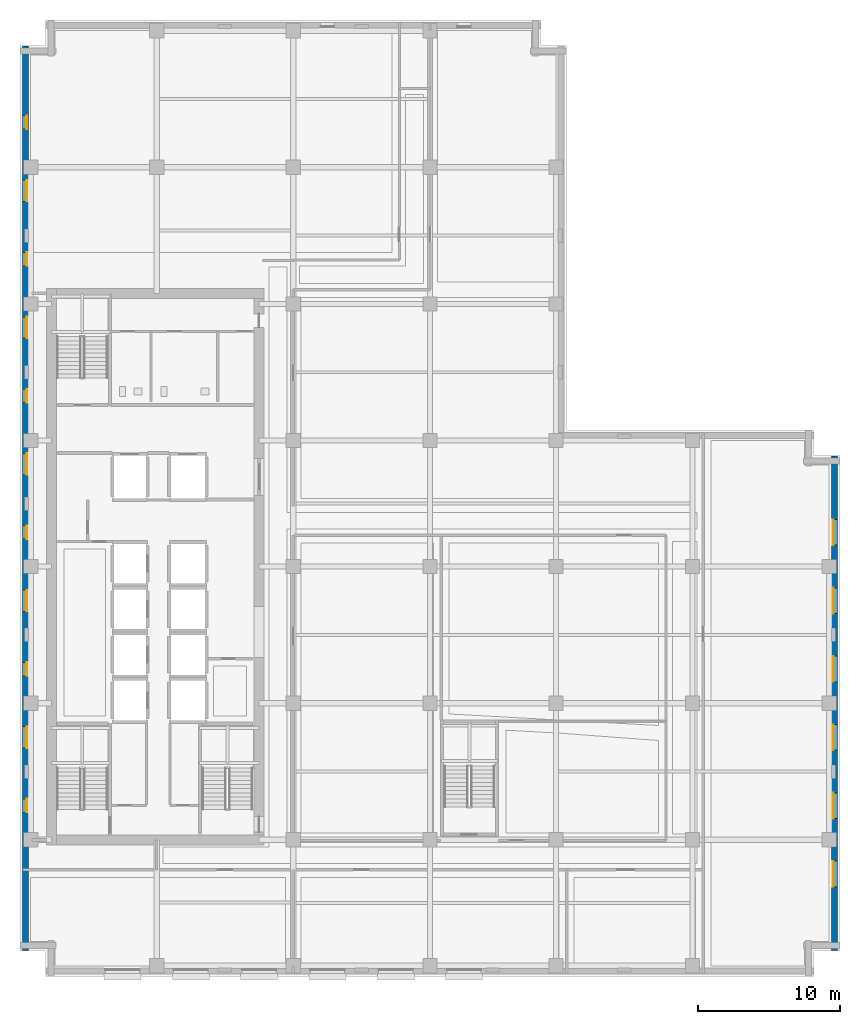
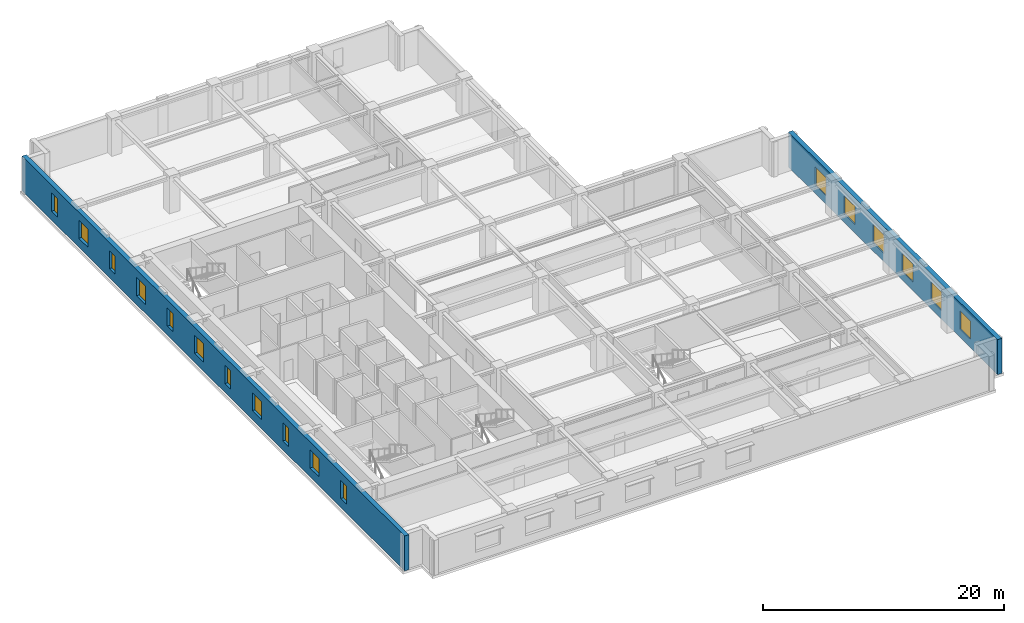
# One storey, part 5 of 12: 17 windows, 2 walls, 17 openings.
"""IFC4 building model written with IfcOpenShell, lengths in metres."""

from ifc_helpers import new_model, si_unit, direction, frame, frame_2d, origin, place, context, subcontext, project, spatial, rectangle, extrude, material, layer, layer_set, type_object, element, fill, save


model = new_model("IFC4")

# Units and contexts
model_context = context("Model", 3, precision=1e-05, world=origin(), true_north=direction((0.0, 1.0)))
body_context = subcontext(model_context, "Body", "Model", "MODEL_VIEW")
ifc_project = project(units=[si_unit("LENGTHUNIT", "METRE"), si_unit("AREAUNIT", "SQUARE_METRE"), si_unit("VOLUMEUNIT", "CUBIC_METRE"), si_unit("PLANEANGLEUNIT", "RADIAN"), si_unit("MASSUNIT", "GRAM", prefix="KILO")], contexts=[model_context])

# Site, building, storey
site_placement = place(None, origin())
site = spatial("IfcSite", under=ifc_project, at=site_placement, CompositionType="ELEMENT")
building_placement = place(site_placement, origin())
building = spatial("IfcBuilding", under=site, at=building_placement, Name="Norrvale University Quadrangle", CompositionType="ELEMENT")
storey_placement = place(building_placement, frame((0.0, 0.0, 105.199951171875)))
storey = spatial("IfcBuildingStorey", under=building, at=storey_placement, Name="L26", CompositionType="ELEMENT", Elevation=105.199951171875)

# Wall, openings, windows
ifc_material_1 = material(Name="Buff Norman Clay Brick Masonry", Category="masonry")
ifc_layer = layer(ifc_material_1, 0.419921875, Name="Buff Norman Clay Brick Masonry")
ifc_layer_set = layer_set([ifc_layer], Name="Buff Norman Clay Brick Masonry")
wall_type = type_object("IfcWallType", Name="Wall Buff Brick 420", PredefinedType="SOLIDWALL", material=ifc_layer_set)
wall_1_placement = place(storey_placement, frame((57.2099609375, 1.840087890625, 0.0), z_axis=(0.0, 0.0, 1.0), x_axis=(0.0, 1.0, 0.0)))
wall_1 = element("IfcWall", 1, at=wall_1_placement, inside=storey, type_object=wall_type, Name="Exterior Brick Facade Wall L26-04.1", PredefinedType="SOLIDWALL", context=body_context, shape_type="SweptSolid", body=[
    extrude(rectangle(XDim=34.719970703125, YDim=0.419921875, at=frame_2d((17.35986328125, 0.0))), origin(), (0.0, 0.0, 1.0), 3.5400390625),
])
opening_1_placement = place(wall_1_placement, frame((4.4599609375, 0.0, 0.85009765625)))
opening_1 = element("IfcOpeningElement", 2, at=opening_1_placement, cuts=wall_1, Name="Opening W01", PredefinedType="OPENING", context=body_context, shape_type="SweptSolid", body=[
    extrude(rectangle(XDim=1.800048828125, YDim=1.85009765625, at=frame_2d((0.89990234375, 0.925048828125))), frame((0.0, 0.221923828125, 0.0), z_axis=(0.0, -1.0, 0.0), x_axis=(1.0, 0.0, 0.0)), (0.0, 0.0, 1.0), 0.44384765625),
])
opening_2_placement = place(wall_1_placement, frame((9.260009765625, 0.0, 0.85009765625)))
opening_2 = element("IfcOpeningElement", 3, at=opening_2_placement, cuts=wall_1, Name="Opening W01", PredefinedType="OPENING", context=body_context, shape_type="SweptSolid", body=[
    extrude(rectangle(XDim=1.800048828125, YDim=1.85009765625, at=frame_2d((0.89990234375, 0.925048828125))), frame((0.0, 0.221923828125, 0.0), z_axis=(0.0, -1.0, 0.0), x_axis=(1.0, 0.0, 0.0)), (0.0, 0.0, 1.0), 0.44384765625),
])
opening_3_placement = place(wall_1_placement, frame((14.06005859375, 0.0, 0.85009765625)))
opening_3 = element("IfcOpeningElement", 4, at=opening_3_placement, cuts=wall_1, Name="Opening W01", PredefinedType="OPENING", context=body_context, shape_type="SweptSolid", body=[
    extrude(rectangle(XDim=1.800048828125, YDim=1.85009765625, at=frame_2d((0.89990234375, 0.925048828125))), frame((0.0, 0.221923828125, 0.0), z_axis=(0.0, -1.0, 0.0), x_axis=(1.0, 0.0, 0.0)), (0.0, 0.0, 1.0), 0.44384765625),
])
opening_4_placement = place(wall_1_placement, frame((18.860107421875, 0.0, 0.85009765625)))
opening_4 = element("IfcOpeningElement", 5, at=opening_4_placement, cuts=wall_1, Name="Opening W01", PredefinedType="OPENING", context=body_context, shape_type="SweptSolid", body=[
    extrude(rectangle(XDim=1.800048828125, YDim=1.85009765625, at=frame_2d((0.89990234375, 0.925048828125))), frame((0.0, 0.221923828125, 0.0), z_axis=(0.0, -1.0, 0.0), x_axis=(1.0, 0.0, 0.0)), (0.0, 0.0, 1.0), 0.44384765625),
])
opening_5_placement = place(wall_1_placement, frame((23.659912109375, 0.0, 0.85009765625)))
opening_5 = element("IfcOpeningElement", 6, at=opening_5_placement, cuts=wall_1, Name="Opening W01", PredefinedType="OPENING", context=body_context, shape_type="SweptSolid", body=[
    extrude(rectangle(XDim=1.800048828125, YDim=1.85009765625, at=frame_2d((0.89990234375, 0.925048828125))), frame((0.0, 0.221923828125, 0.0), z_axis=(0.0, -1.0, 0.0), x_axis=(1.0, 0.0, 0.0)), (0.0, 0.0, 1.0), 0.44384765625),
])
opening_6_placement = place(wall_1_placement, frame((28.4599609375, 0.0, 0.85009765625)))
opening_6 = element("IfcOpeningElement", 7, at=opening_6_placement, cuts=wall_1, Name="Opening W01", PredefinedType="OPENING", context=body_context, shape_type="SweptSolid", body=[
    extrude(rectangle(XDim=1.800048828125, YDim=1.85009765625, at=frame_2d((0.89990234375, 0.925048828125))), frame((0.0, 0.221923828125, 0.0), z_axis=(0.0, -1.0, 0.0), x_axis=(1.0, 0.0, 0.0)), (0.0, 0.0, 1.0), 0.44384765625),
])
ifc_material_2 = material(Name="Triple Low-E Argon Glazing", Category="glass")
window_type_1 = type_object("IfcWindowType", Name="Window Academic 1800x2300", PartitioningType="DOUBLE_PANEL_VERTICAL", PredefinedType="WINDOW", material=ifc_material_2)
window_1_placement = place(opening_1_placement, origin())
window_1 = element("IfcWindow", 8, at=window_1_placement, inside=storey, type_object=window_type_1, Name="Window Academic 1800x2300 WIN-L26-E04-1-01", OverallHeight=1.85009765625, OverallWidth=1.800048828125, PartitioningType="DOUBLE_PANEL_VERTICAL", PredefinedType="WINDOW", context=body_context, shape_type="SweptSolid", body=[
    extrude(rectangle(XDim=1.800048828125, YDim=1.85009765625, at=frame_2d((0.89990234375, 0.925048828125))), frame((0.0, 0.110107421875, 0.0), z_axis=(0.0, -1.0, 0.0), x_axis=(1.0, 0.0, 0.0)), (0.0, 0.0, 1.0), 0.06005859375),
])
fill(opening_1, window_1)
window_2_placement = place(opening_2_placement, origin())
window_2 = element("IfcWindow", 9, at=window_2_placement, inside=storey, type_object=window_type_1, Name="Window Academic 1800x2300 WIN-L26-E04-1-02", OverallHeight=1.85009765625, OverallWidth=1.800048828125, PartitioningType="DOUBLE_PANEL_VERTICAL", PredefinedType="WINDOW", context=body_context, shape_type="SweptSolid", body=[
    extrude(rectangle(XDim=1.800048828125, YDim=1.85009765625, at=frame_2d((0.89990234375, 0.925048828125))), frame((0.0, 0.110107421875, 0.0), z_axis=(0.0, -1.0, 0.0), x_axis=(1.0, 0.0, 0.0)), (0.0, 0.0, 1.0), 0.06005859375),
])
fill(opening_2, window_2)
window_3_placement = place(opening_3_placement, origin())
window_3 = element("IfcWindow", 10, at=window_3_placement, inside=storey, type_object=window_type_1, Name="Window Academic 1800x2300 WIN-L26-E04-1-03", OverallHeight=1.85009765625, OverallWidth=1.800048828125, PartitioningType="DOUBLE_PANEL_VERTICAL", PredefinedType="WINDOW", context=body_context, shape_type="SweptSolid", body=[
    extrude(rectangle(XDim=1.800048828125, YDim=1.85009765625, at=frame_2d((0.89990234375, 0.925048828125))), frame((0.0, 0.110107421875, 0.0), z_axis=(0.0, -1.0, 0.0), x_axis=(1.0, 0.0, 0.0)), (0.0, 0.0, 1.0), 0.06005859375),
])
fill(opening_3, window_3)
window_4_placement = place(opening_4_placement, origin())
window_4 = element("IfcWindow", 11, at=window_4_placement, inside=storey, type_object=window_type_1, Name="Window Academic 1800x2300 WIN-L26-E04-1-04", OverallHeight=1.85009765625, OverallWidth=1.800048828125, PartitioningType="DOUBLE_PANEL_VERTICAL", PredefinedType="WINDOW", context=body_context, shape_type="SweptSolid", body=[
    extrude(rectangle(XDim=1.800048828125, YDim=1.85009765625, at=frame_2d((0.89990234375, 0.925048828125))), frame((0.0, 0.110107421875, 0.0), z_axis=(0.0, -1.0, 0.0), x_axis=(1.0, 0.0, 0.0)), (0.0, 0.0, 1.0), 0.06005859375),
])
fill(opening_4, window_4)
window_5_placement = place(opening_5_placement, origin())
window_5 = element("IfcWindow", 12, at=window_5_placement, inside=storey, type_object=window_type_1, Name="Window Academic 1800x2300 WIN-L26-E04-1-05", OverallHeight=1.85009765625, OverallWidth=1.800048828125, PartitioningType="DOUBLE_PANEL_VERTICAL", PredefinedType="WINDOW", context=body_context, shape_type="SweptSolid", body=[
    extrude(rectangle(XDim=1.800048828125, YDim=1.85009765625, at=frame_2d((0.89990234375, 0.925048828125))), frame((0.0, 0.110107421875, 0.0), z_axis=(0.0, -1.0, 0.0), x_axis=(1.0, 0.0, 0.0)), (0.0, 0.0, 1.0), 0.06005859375),
])
fill(opening_5, window_5)
window_6_placement = place(opening_6_placement, origin())
window_6 = element("IfcWindow", 13, at=window_6_placement, inside=storey, type_object=window_type_1, Name="Window Academic 1800x2300 WIN-L26-E04-1-06", OverallHeight=1.85009765625, OverallWidth=1.800048828125, PartitioningType="DOUBLE_PANEL_VERTICAL", PredefinedType="WINDOW", context=body_context, shape_type="SweptSolid", body=[
    extrude(rectangle(XDim=1.800048828125, YDim=1.85009765625, at=frame_2d((0.89990234375, 0.925048828125))), frame((0.0, 0.110107421875, 0.0), z_axis=(0.0, -1.0, 0.0), x_axis=(1.0, 0.0, 0.0)), (0.0, 0.0, 1.0), 0.06005859375),
])
fill(opening_6, window_6)

wall_2_placement = place(storey_placement, frame((0.389892578125, 65.360107421875, 0.0), z_axis=(0.0, 0.0, 1.0), x_axis=(0.0, -1.0, 0.0)))
wall_2 = element("IfcWall", 14, at=wall_2_placement, inside=storey, type_object=wall_type, Name="Exterior Brick Facade Wall L26-14.1", PredefinedType="SOLIDWALL", context=body_context, shape_type="SweptSolid", body=[
    extrude(rectangle(XDim=63.52001953125, YDim=0.419921875, at=frame_2d((31.760009765625, 0.0))), origin(), (0.0, 0.0, 1.0), 3.5400390625),
])
opening_7_placement = place(wall_2_placement, frame((4.885009765625, 0.0, 0.89990234375)))
opening_7 = element("IfcOpeningElement", 15, at=opening_7_placement, cuts=wall_2, Name="Opening W04", PredefinedType="OPENING", context=body_context, shape_type="SweptSolid", body=[
    extrude(rectangle(XDim=0.949951171875, YDim=1.85009765625, at=frame_2d((0.47509765625, 0.925048828125))), frame((0.0, 0.221923828125, 0.0), z_axis=(0.0, -1.0, 0.0), x_axis=(1.0, 0.0, 0.0)), (0.0, 0.0, 1.0), 0.44384765625),
])
opening_8_placement = place(wall_2_placement, frame((9.409912109375, 0.0, 0.89990234375)))
opening_8 = element("IfcOpeningElement", 16, at=opening_8_placement, cuts=wall_2, Name="Opening W03", PredefinedType="OPENING", context=body_context, shape_type="SweptSolid", body=[
    extrude(rectangle(XDim=1.5, YDim=1.85009765625, at=frame_2d((0.75, 0.925048828125))), frame((0.0, 0.221923828125, 0.0), z_axis=(0.0, -1.0, 0.0), x_axis=(1.0, 0.0, 0.0)), (0.0, 0.0, 1.0), 0.44384765625),
])
opening_9_placement = place(wall_2_placement, frame((14.485107421875, 0.0, 0.89990234375)))
opening_9 = element("IfcOpeningElement", 17, at=opening_9_placement, cuts=wall_2, Name="Opening W04", PredefinedType="OPENING", context=body_context, shape_type="SweptSolid", body=[
    extrude(rectangle(XDim=0.949951171875, YDim=1.85009765625, at=frame_2d((0.47509765625, 0.925048828125))), frame((0.0, 0.221923828125, 0.0), z_axis=(0.0, -1.0, 0.0), x_axis=(1.0, 0.0, 0.0)), (0.0, 0.0, 1.0), 0.44384765625),
])
opening_10_placement = place(wall_2_placement, frame((19.010009765625, 0.0, 0.89990234375)))
opening_10 = element("IfcOpeningElement", 18, at=opening_10_placement, cuts=wall_2, Name="Opening W03", PredefinedType="OPENING", context=body_context, shape_type="SweptSolid", body=[
    extrude(rectangle(XDim=1.5, YDim=1.85009765625, at=frame_2d((0.75, 0.925048828125))), frame((0.0, 0.221923828125, 0.0), z_axis=(0.0, -1.0, 0.0), x_axis=(1.0, 0.0, 0.0)), (0.0, 0.0, 1.0), 0.44384765625),
])
opening_11_placement = place(wall_2_placement, frame((24.0849609375, 0.0, 0.89990234375)))
opening_11 = element("IfcOpeningElement", 19, at=opening_11_placement, cuts=wall_2, Name="Opening W04", PredefinedType="OPENING", context=body_context, shape_type="SweptSolid", body=[
    extrude(rectangle(XDim=0.949951171875, YDim=1.85009765625, at=frame_2d((0.47509765625, 0.925048828125))), frame((0.0, 0.221923828125, 0.0), z_axis=(0.0, -1.0, 0.0), x_axis=(1.0, 0.0, 0.0)), (0.0, 0.0, 1.0), 0.44384765625),
])
opening_12_placement = place(wall_2_placement, frame((28.610107421875, 0.0, 0.89990234375)))
opening_12 = element("IfcOpeningElement", 20, at=opening_12_placement, cuts=wall_2, Name="Opening W03", PredefinedType="OPENING", context=body_context, shape_type="SweptSolid", body=[
    extrude(rectangle(XDim=1.5, YDim=1.85009765625, at=frame_2d((0.75, 0.925048828125))), frame((0.0, 0.221923828125, 0.0), z_axis=(0.0, -1.0, 0.0), x_axis=(1.0, 0.0, 0.0)), (0.0, 0.0, 1.0), 0.44384765625),
])
opening_13_placement = place(wall_2_placement, frame((33.68505859375, 0.0, 0.89990234375)))
opening_13 = element("IfcOpeningElement", 21, at=opening_13_placement, cuts=wall_2, Name="Opening W04", PredefinedType="OPENING", context=body_context, shape_type="SweptSolid", body=[
    extrude(rectangle(XDim=0.949951171875, YDim=1.85009765625, at=frame_2d((0.47509765625, 0.925048828125))), frame((0.0, 0.221923828125, 0.0), z_axis=(0.0, -1.0, 0.0), x_axis=(1.0, 0.0, 0.0)), (0.0, 0.0, 1.0), 0.44384765625),
])
opening_14_placement = place(wall_2_placement, frame((38.2099609375, 0.0, 0.89990234375)))
opening_14 = element("IfcOpeningElement", 22, at=opening_14_placement, cuts=wall_2, Name="Opening W03", PredefinedType="OPENING", context=body_context, shape_type="SweptSolid", body=[
    extrude(rectangle(XDim=1.5, YDim=1.85009765625, at=frame_2d((0.75, 0.925048828125))), frame((0.0, 0.221923828125, 0.0), z_axis=(0.0, -1.0, 0.0), x_axis=(1.0, 0.0, 0.0)), (0.0, 0.0, 1.0), 0.44384765625),
])
opening_15_placement = place(wall_2_placement, frame((43.284912109375, 0.0, 0.89990234375)))
opening_15 = element("IfcOpeningElement", 23, at=opening_15_placement, cuts=wall_2, Name="Opening W04", PredefinedType="OPENING", context=body_context, shape_type="SweptSolid", body=[
    extrude(rectangle(XDim=0.949951171875, YDim=1.85009765625, at=frame_2d((0.47509765625, 0.925048828125))), frame((0.0, 0.221923828125, 0.0), z_axis=(0.0, -1.0, 0.0), x_axis=(1.0, 0.0, 0.0)), (0.0, 0.0, 1.0), 0.44384765625),
])
opening_16_placement = place(wall_2_placement, frame((47.81005859375, 0.0, 0.89990234375)))
opening_16 = element("IfcOpeningElement", 24, at=opening_16_placement, cuts=wall_2, Name="Opening W03", PredefinedType="OPENING", context=body_context, shape_type="SweptSolid", body=[
    extrude(rectangle(XDim=1.5, YDim=1.85009765625, at=frame_2d((0.75, 0.925048828125))), frame((0.0, 0.221923828125, 0.0), z_axis=(0.0, -1.0, 0.0), x_axis=(1.0, 0.0, 0.0)), (0.0, 0.0, 1.0), 0.44384765625),
])
opening_17_placement = place(wall_2_placement, frame((52.885009765625, 0.0, 0.89990234375)))
opening_17 = element("IfcOpeningElement", 25, at=opening_17_placement, cuts=wall_2, Name="Opening W04", PredefinedType="OPENING", context=body_context, shape_type="SweptSolid", body=[
    extrude(rectangle(XDim=0.949951171875, YDim=1.85009765625, at=frame_2d((0.47509765625, 0.925048828125))), frame((0.0, 0.221923828125, 0.0), z_axis=(0.0, -1.0, 0.0), x_axis=(1.0, 0.0, 0.0)), (0.0, 0.0, 1.0), 0.44384765625),
])
window_type_2 = type_object("IfcWindowType", Name="Window Narrow Pier 950x2300", PartitioningType="SINGLE_PANEL", PredefinedType="WINDOW", material=ifc_material_2)
window_7_placement = place(opening_7_placement, origin())
window_7 = element("IfcWindow", 26, at=window_7_placement, inside=storey, type_object=window_type_2, Name="Window Narrow Pier 950x2300 WIN-L26-E14-1-01", OverallHeight=1.85009765625, OverallWidth=0.949951171875, PartitioningType="SINGLE_PANEL", PredefinedType="WINDOW", context=body_context, shape_type="SweptSolid", body=[
    extrude(rectangle(XDim=0.949951171875, YDim=1.85009765625, at=frame_2d((0.47509765625, 0.925048828125))), frame((0.0, 0.110107421875, 0.0), z_axis=(0.0, -1.0, 0.0), x_axis=(1.0, 0.0, 0.0)), (0.0, 0.0, 1.0), 0.06005859375),
])
fill(opening_7, window_7)
window_8_placement = place(opening_9_placement, origin())
window_8 = element("IfcWindow", 27, at=window_8_placement, inside=storey, type_object=window_type_2, Name="Window Narrow Pier 950x2300 WIN-L26-E14-1-03", OverallHeight=1.85009765625, OverallWidth=0.949951171875, PartitioningType="SINGLE_PANEL", PredefinedType="WINDOW", context=body_context, shape_type="SweptSolid", body=[
    extrude(rectangle(XDim=0.949951171875, YDim=1.85009765625, at=frame_2d((0.47509765625, 0.925048828125))), frame((0.0, 0.110107421875, 0.0), z_axis=(0.0, -1.0, 0.0), x_axis=(1.0, 0.0, 0.0)), (0.0, 0.0, 1.0), 0.06005859375),
])
fill(opening_9, window_8)
window_9_placement = place(opening_11_placement, origin())
window_9 = element("IfcWindow", 28, at=window_9_placement, inside=storey, type_object=window_type_2, Name="Window Narrow Pier 950x2300 WIN-L26-E14-1-05", OverallHeight=1.85009765625, OverallWidth=0.949951171875, PartitioningType="SINGLE_PANEL", PredefinedType="WINDOW", context=body_context, shape_type="SweptSolid", body=[
    extrude(rectangle(XDim=0.949951171875, YDim=1.85009765625, at=frame_2d((0.47509765625, 0.925048828125))), frame((0.0, 0.110107421875, 0.0), z_axis=(0.0, -1.0, 0.0), x_axis=(1.0, 0.0, 0.0)), (0.0, 0.0, 1.0), 0.06005859375),
])
fill(opening_11, window_9)
window_10_placement = place(opening_13_placement, origin())
window_10 = element("IfcWindow", 29, at=window_10_placement, inside=storey, type_object=window_type_2, Name="Window Narrow Pier 950x2300 WIN-L26-E14-1-07", OverallHeight=1.85009765625, OverallWidth=0.949951171875, PartitioningType="SINGLE_PANEL", PredefinedType="WINDOW", context=body_context, shape_type="SweptSolid", body=[
    extrude(rectangle(XDim=0.949951171875, YDim=1.85009765625, at=frame_2d((0.47509765625, 0.925048828125))), frame((0.0, 0.110107421875, 0.0), z_axis=(0.0, -1.0, 0.0), x_axis=(1.0, 0.0, 0.0)), (0.0, 0.0, 1.0), 0.06005859375),
])
fill(opening_13, window_10)
window_11_placement = place(opening_15_placement, origin())
window_11 = element("IfcWindow", 30, at=window_11_placement, inside=storey, type_object=window_type_2, Name="Window Narrow Pier 950x2300 WIN-L26-E14-1-09", OverallHeight=1.85009765625, OverallWidth=0.949951171875, PartitioningType="SINGLE_PANEL", PredefinedType="WINDOW", context=body_context, shape_type="SweptSolid", body=[
    extrude(rectangle(XDim=0.949951171875, YDim=1.85009765625, at=frame_2d((0.47509765625, 0.925048828125))), frame((0.0, 0.110107421875, 0.0), z_axis=(0.0, -1.0, 0.0), x_axis=(1.0, 0.0, 0.0)), (0.0, 0.0, 1.0), 0.06005859375),
])
fill(opening_15, window_11)
window_12_placement = place(opening_17_placement, origin())
window_12 = element("IfcWindow", 31, at=window_12_placement, inside=storey, type_object=window_type_2, Name="Window Narrow Pier 950x2300 WIN-L26-E14-1-11", OverallHeight=1.85009765625, OverallWidth=0.949951171875, PartitioningType="SINGLE_PANEL", PredefinedType="WINDOW", context=body_context, shape_type="SweptSolid", body=[
    extrude(rectangle(XDim=0.949951171875, YDim=1.85009765625, at=frame_2d((0.47509765625, 0.925048828125))), frame((0.0, 0.110107421875, 0.0), z_axis=(0.0, -1.0, 0.0), x_axis=(1.0, 0.0, 0.0)), (0.0, 0.0, 1.0), 0.06005859375),
])
fill(opening_17, window_12)
window_type_3 = type_object("IfcWindowType", Name="Window Studio 1500x2300", PartitioningType="DOUBLE_PANEL_VERTICAL", PredefinedType="WINDOW", material=ifc_material_2)
window_13_placement = place(opening_8_placement, origin())
window_13 = element("IfcWindow", 32, at=window_13_placement, inside=storey, type_object=window_type_3, Name="Window Studio 1500x2300 WIN-L26-E14-1-02", OverallHeight=1.85009765625, OverallWidth=1.5, PartitioningType="DOUBLE_PANEL_VERTICAL", PredefinedType="WINDOW", context=body_context, shape_type="SweptSolid", body=[
    extrude(rectangle(XDim=1.5, YDim=1.85009765625, at=frame_2d((0.75, 0.925048828125))), frame((0.0, 0.110107421875, 0.0), z_axis=(0.0, -1.0, 0.0), x_axis=(1.0, 0.0, 0.0)), (0.0, 0.0, 1.0), 0.06005859375),
])
fill(opening_8, window_13)
window_14_placement = place(opening_10_placement, origin())
window_14 = element("IfcWindow", 33, at=window_14_placement, inside=storey, type_object=window_type_3, Name="Window Studio 1500x2300 WIN-L26-E14-1-04", OverallHeight=1.85009765625, OverallWidth=1.5, PartitioningType="DOUBLE_PANEL_VERTICAL", PredefinedType="WINDOW", context=body_context, shape_type="SweptSolid", body=[
    extrude(rectangle(XDim=1.5, YDim=1.85009765625, at=frame_2d((0.75, 0.925048828125))), frame((0.0, 0.110107421875, 0.0), z_axis=(0.0, -1.0, 0.0), x_axis=(1.0, 0.0, 0.0)), (0.0, 0.0, 1.0), 0.06005859375),
])
fill(opening_10, window_14)
window_15_placement = place(opening_12_placement, origin())
window_15 = element("IfcWindow", 34, at=window_15_placement, inside=storey, type_object=window_type_3, Name="Window Studio 1500x2300 WIN-L26-E14-1-06", OverallHeight=1.85009765625, OverallWidth=1.5, PartitioningType="DOUBLE_PANEL_VERTICAL", PredefinedType="WINDOW", context=body_context, shape_type="SweptSolid", body=[
    extrude(rectangle(XDim=1.5, YDim=1.85009765625, at=frame_2d((0.75, 0.925048828125))), frame((0.0, 0.110107421875, 0.0), z_axis=(0.0, -1.0, 0.0), x_axis=(1.0, 0.0, 0.0)), (0.0, 0.0, 1.0), 0.06005859375),
])
fill(opening_12, window_15)
window_16_placement = place(opening_14_placement, origin())
window_16 = element("IfcWindow", 35, at=window_16_placement, inside=storey, type_object=window_type_3, Name="Window Studio 1500x2300 WIN-L26-E14-1-08", OverallHeight=1.85009765625, OverallWidth=1.5, PartitioningType="DOUBLE_PANEL_VERTICAL", PredefinedType="WINDOW", context=body_context, shape_type="SweptSolid", body=[
    extrude(rectangle(XDim=1.5, YDim=1.85009765625, at=frame_2d((0.75, 0.925048828125))), frame((0.0, 0.110107421875, 0.0), z_axis=(0.0, -1.0, 0.0), x_axis=(1.0, 0.0, 0.0)), (0.0, 0.0, 1.0), 0.06005859375),
])
fill(opening_14, window_16)
window_17_placement = place(opening_16_placement, origin())
window_17 = element("IfcWindow", 36, at=window_17_placement, inside=storey, type_object=window_type_3, Name="Window Studio 1500x2300 WIN-L26-E14-1-10", OverallHeight=1.85009765625, OverallWidth=1.5, PartitioningType="DOUBLE_PANEL_VERTICAL", PredefinedType="WINDOW", context=body_context, shape_type="SweptSolid", body=[
    extrude(rectangle(XDim=1.5, YDim=1.85009765625, at=frame_2d((0.75, 0.925048828125))), frame((0.0, 0.110107421875, 0.0), z_axis=(0.0, -1.0, 0.0), x_axis=(1.0, 0.0, 0.0)), (0.0, 0.0, 1.0), 0.06005859375),
])
fill(opening_16, window_17)

save(model, "model.ifc")
